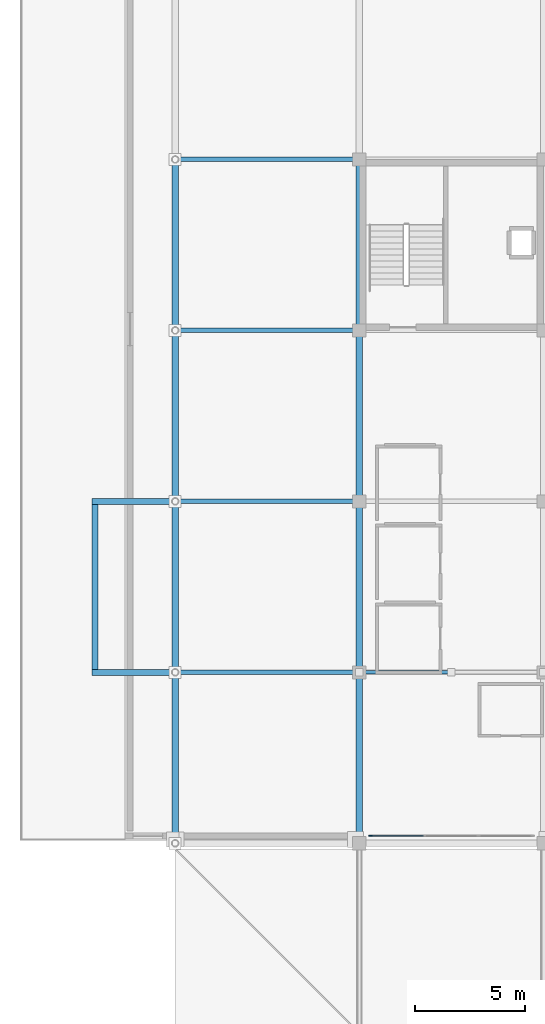
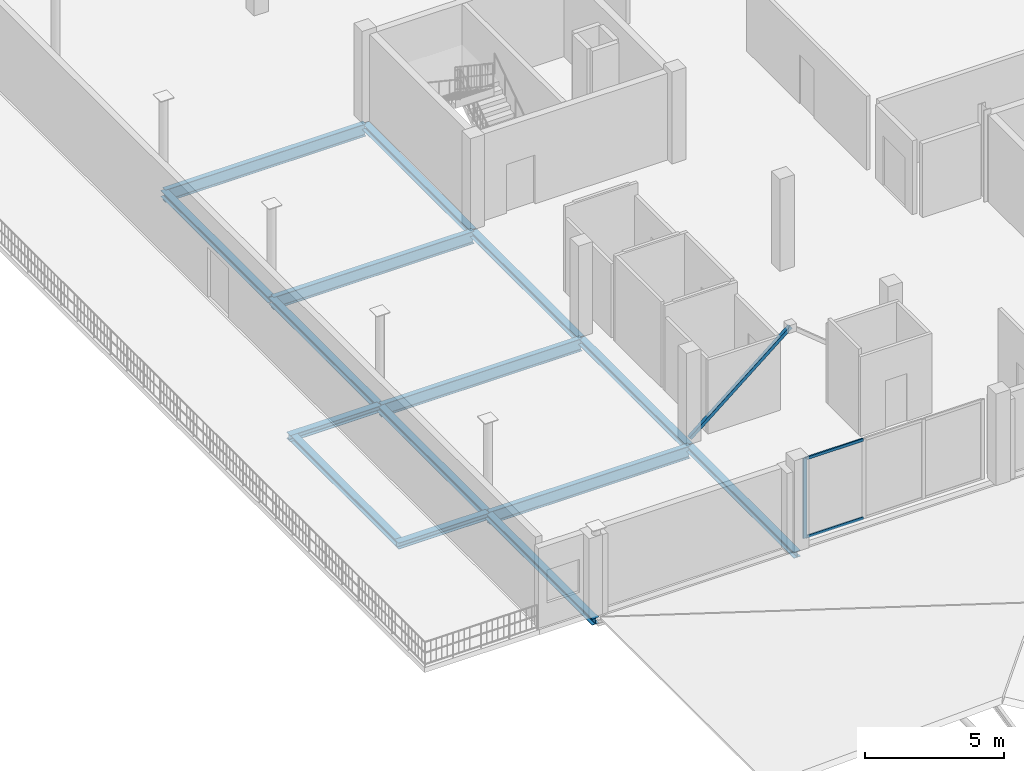
# One storey, part 7 of 25: 15 beams, 4 members, 1 element without a shape of its own.
"""IFC4 building model written with IfcOpenShell, lengths in metres."""

from ifc_helpers import new_model, si_unit, direction, frame, origin, origin_2d, place, context, subcontext, project, spatial, rectangle, hollow_rectangle, i_section, extrude, material, material_profile, profile_set, type_object, element, aggregate, save


model = new_model("IFC4")

# Units and contexts
model_context = context("Model", 3, precision=1e-05, world=origin(), true_north=direction((0.0, 1.0)))
body_context = subcontext(model_context, "Body", "Model", "MODEL_VIEW")
ifc_project = project(units=[si_unit("LENGTHUNIT", "METRE"), si_unit("AREAUNIT", "SQUARE_METRE"), si_unit("VOLUMEUNIT", "CUBIC_METRE"), si_unit("PLANEANGLEUNIT", "RADIAN"), si_unit("MASSUNIT", "GRAM", prefix="KILO")], contexts=[model_context])

# Site, building, storey
site_placement = place(None, origin())
site = spatial("IfcSite", under=ifc_project, at=site_placement, CompositionType="ELEMENT")
building_placement = place(site_placement, origin())
building = spatial("IfcBuilding", under=site, at=building_placement, Name="Nabrawat Pavilion Hospital", CompositionType="ELEMENT")
storey_placement = place(building_placement, frame((0.0, 0.0, 22.949951171875)))
storey = spatial("IfcBuildingStorey", under=building, at=storey_placement, Name="L05", CompositionType="ELEMENT", Elevation=22.949951171875)

# Curtain wall, members
ifc_material_1 = material(Name="Anodised Aluminium", Category="aluminium")
curtain_wall_type = type_object("IfcCurtainWallType", Name="Inpatient Dayroom Bay Curtain Wall", PredefinedType="USERDEFINED", material=ifc_material_1)
curtain_wall_placement = place(storey_placement, origin())
curtain_wall = element("IfcCurtainWall", 1, at=curtain_wall_placement, inside=storey, type_object=curtain_wall_type, Name="L05 Inpatient Dayroom Bay Curtain Wall 151", ObjectType="CURTAIN WALL", PredefinedType="USERDEFINED")
ifc_material_profile_1 = material_profile(ifc_material_1, rectangle(XDim=0.06005859375, YDim=0.159912109375, at=origin_2d()), Name="CWM 60x160")
ifc_profile_set_1 = profile_set([ifc_material_profile_1], Name="Anodised Aluminium")
member_type_1 = type_object("IfcMemberType", Name="Inpatient Dayroom Bay Curtain Wall Mullion CWM 60x160", PredefinedType="MULLION", material=ifc_profile_set_1)
member_1_placement = place(storey_placement, frame((151.699951171875, 39.340087890625, 0.0), z_axis=(0.0, 0.0, 1.0), x_axis=(0.0, 1.0, 0.0)))
member_1 = element("IfcMember", 2, at=member_1_placement, type_object=member_type_1, Name="CW-WRD-01 mullion 1", PredefinedType="MULLION", context=body_context, shape_type="SweptSolid", body=[
    extrude(rectangle(XDim=0.06005859375, YDim=0.159912109375, at=origin_2d()), origin(), (0.0, 0.0, 1.0), 3.510009765625),
])
ifc_material_profile_2 = material_profile(ifc_material_1, rectangle(XDim=0.06005859375, YDim=0.1201171875, at=origin_2d()), Name="CWT 60x120")
ifc_profile_set_2 = profile_set([ifc_material_profile_2], Name="Anodised Aluminium")
member_type_2 = type_object("IfcMemberType", Name="Inpatient Dayroom Bay Curtain Wall Transom CWT 60x120", PredefinedType="USERDEFINED", material=ifc_profile_set_2)
member_2_placement = place(storey_placement, frame((151.72998046875, 39.340087890625, 0.030029296875), z_axis=(1.0, 0.0, 0.0), x_axis=(0.0, 1.0, 0.0)))
member_2 = element("IfcMember", 3, at=member_2_placement, type_object=member_type_2, Name="CW-WRD-01 transom 1.1", ObjectType="TRANSOM", PredefinedType="USERDEFINED", context=body_context, shape_type="SweptSolid", body=[
    extrude(rectangle(XDim=0.06005859375, YDim=0.1201171875, at=origin_2d()), origin(), (0.0, 0.0, 1.0), 2.396728515625),
])
member_3_placement = place(storey_placement, frame((151.72998046875, 39.340087890625, 3.47998046875), z_axis=(1.0, 0.0, 0.0), x_axis=(0.0, 1.0, 0.0)))
member_3 = element("IfcMember", 4, at=member_3_placement, type_object=member_type_2, Name="CW-WRD-01 transom 1.2", ObjectType="TRANSOM", PredefinedType="USERDEFINED", context=body_context, shape_type="SweptSolid", body=[
    extrude(rectangle(XDim=0.06005859375, YDim=0.1201171875, at=origin_2d()), origin(), (0.0, 0.0, 1.0), 2.396728515625),
])
aggregate(curtain_wall, [member_1, member_2, member_3])

# Beams
ifc_material_2 = material(Name="Steel S355", Category="steel")
ifc_material_profile_3 = material_profile(ifc_material_2, i_section(OverallWidth=0.2099609375, OverallDepth=0.550048828125, WebThickness=0.010986328125, FlangeThickness=0.01708984375, FilletRadius=0.02392578125, at=origin_2d()), Name="IPE 550")
ifc_profile_set_3 = profile_set([ifc_material_profile_3], Name="Steel S355")
beam_type_1 = type_object("IfcBeamType", Name="Long-Span Floor Girder IPE 550", PredefinedType="USERDEFINED", material=ifc_profile_set_3)
for number, where, z_axis, x_axis, name in (
    (5, (142.820068359375, 46.800048828125, -0.5048828125), (1.0, 0.0, 0.0), (0.0, 1.0, 0.0), "L05 Primary X Girder 1991"),
    (6, (142.820068359375, 54.60009765625, -0.5048828125), (1.0, 0.0, 0.0), (0.0, 1.0, 0.0), "L05 Primary X Girder 1997"),
    (7, (142.820068359375, 62.39990234375, -0.5048828125), (1.0, 0.0, 0.0), (0.0, 1.0, 0.0), "L05 Primary X Girder 2003"),
    (8, (142.820068359375, 70.199951171875, -0.5048828125), (1.0, 0.0, 0.0), (0.0, 1.0, 0.0), "L05 Primary X Girder 2008"),
):
    element("IfcBeam", number, at=place(storey_placement, frame(where, z_axis=z_axis, x_axis=x_axis)), inside=storey, type_object=beam_type_1, Name=name, ObjectType="GIRDER", PredefinedType="USERDEFINED", context=body_context, shape_type="SweptSolid", body=[
        extrude(i_section(OverallWidth=0.2099609375, OverallDepth=0.550048828125, WebThickness=0.010986328125, FlangeThickness=0.01708984375, FilletRadius=0.02392578125, at=origin_2d()), origin(), (0.0, 0.0, 1.0), 8.35986328125),
    ])

# Member
ifc_material_profile_4 = material_profile(ifc_material_2, hollow_rectangle(XDim=0.14990234375, YDim=0.14990234375, WallThickness=0.010009765625, at=origin_2d()), Name="SHS 150x150x10")
ifc_profile_set_4 = profile_set([ifc_material_profile_4], Name="Steel S355")
member_type_3 = type_object("IfcMemberType", Name="Top Ward Chevron Brace SHS 150x150x10", PredefinedType="BRACE", material=ifc_profile_set_4)
member_4_placement = place(storey_placement, frame((151.199951171875, 46.800048828125, 0.050048828125), z_axis=(0.772727041362, 0.0, 0.63473846547), x_axis=(0.0, 1.0, 0.0)))
element("IfcMember", 9, at=member_4_placement, inside=storey, type_object=member_type_3, Name="L05 Seismic Concentric Chevron Brace 059", PredefinedType="BRACE", context=body_context, shape_type="SweptSolid", body=[
    extrude(hollow_rectangle(XDim=0.14990234375, YDim=0.14990234375, WallThickness=0.010009765625, at=origin_2d()), origin(), (0.0, 0.0, 1.0), 5.435302734375),
])

# Beams
ifc_material_profile_5 = material_profile(ifc_material_2, i_section(OverallWidth=0.280029296875, OverallDepth=0.27001953125, WebThickness=0.008056640625, FlangeThickness=0.012939453125, FilletRadius=0.02392578125, at=origin_2d()), Name="HEA 280")
ifc_profile_set_5 = profile_set([ifc_material_profile_5], Name="Steel S355")
beam_type_2 = type_object("IfcBeamType", Name="Top Ward Floor Beam HEA 280", PredefinedType="BEAM", material=ifc_profile_set_5)
for number, where, z_axis, x_axis, name in (
    (10, (142.800048828125, 39.02001953125, -0.364990234375), (0.0, 1.0, 0.0), (-1.0, 0.0, 0.0), "L05 Primary Y Beam 2050"),
    (11, (142.800048828125, 46.820068359375, -0.364990234375), (0.0, 1.0, 0.0), (-1.0, 0.0, 0.0), "L05 Primary Y Beam 2051"),
):
    element("IfcBeam", number, at=place(storey_placement, frame(where, z_axis=z_axis, x_axis=x_axis)), inside=storey, type_object=beam_type_2, Name=name, PredefinedType="BEAM", context=body_context, shape_type="SweptSolid", body=[
        extrude(i_section(OverallWidth=0.280029296875, OverallDepth=0.27001953125, WebThickness=0.008056640625, FlangeThickness=0.012939453125, FilletRadius=0.02392578125, at=origin_2d()), origin(), (0.0, 0.0, 1.0), 7.760009765625),
    ])
beam_1_placement = place(storey_placement, frame((142.800048828125, 54.6201171875, -0.364990234375), z_axis=(0.0, 1.0, 0.0), x_axis=(-1.0, 0.0, 0.0)))
element("IfcBeam", 12, at=beam_1_placement, inside=storey, type_object=beam_type_2, Name="L05 Primary Y Beam 2052", PredefinedType="BEAM", context=body_context, shape_type="SweptSolid", body=[
    extrude(i_section(OverallWidth=0.280029296875, OverallDepth=0.27001953125, WebThickness=0.008056640625, FlangeThickness=0.012939453125, FilletRadius=0.02392578125, at=origin_2d()), origin(), (0.0, 0.0, 1.0), 7.759765625),
])
for number, where, z_axis, x_axis, name in (
    (13, (142.800048828125, 62.419921875, -0.364990234375), (0.0, 1.0, 0.0), (-1.0, 0.0, 0.0), "L05 Primary Y Beam 2053"),
    (14, (151.199951171875, 39.02001953125, -0.364990234375), (0.0, 1.0, 0.0), (-1.0, 0.0, 0.0), "L05 Primary Y Beam 2061"),
    (15, (151.199951171875, 46.820068359375, -0.364990234375), (0.0, 1.0, 0.0), (-1.0, 0.0, 0.0), "L05 Primary Y Beam 2062"),
):
    element("IfcBeam", number, at=place(storey_placement, frame(where, z_axis=z_axis, x_axis=x_axis)), inside=storey, type_object=beam_type_2, Name=name, PredefinedType="BEAM", context=body_context, shape_type="SweptSolid", body=[
        extrude(i_section(OverallWidth=0.280029296875, OverallDepth=0.27001953125, WebThickness=0.008056640625, FlangeThickness=0.012939453125, FilletRadius=0.02392578125, at=origin_2d()), origin(), (0.0, 0.0, 1.0), 7.760009765625),
    ])
beam_2_placement = place(storey_placement, frame((151.199951171875, 54.6201171875, -0.364990234375), z_axis=(0.0, 1.0, 0.0), x_axis=(-1.0, 0.0, 0.0)))
element("IfcBeam", 16, at=beam_2_placement, inside=storey, type_object=beam_type_2, Name="L05 Primary Y Beam 2063", PredefinedType="BEAM", context=body_context, shape_type="SweptSolid", body=[
    extrude(i_section(OverallWidth=0.280029296875, OverallDepth=0.27001953125, WebThickness=0.008056640625, FlangeThickness=0.012939453125, FilletRadius=0.02392578125, at=origin_2d()), origin(), (0.0, 0.0, 1.0), 7.759765625),
])
beam_3_placement = place(storey_placement, frame((151.199951171875, 62.419921875, -0.364990234375), z_axis=(0.0, 1.0, 0.0), x_axis=(-1.0, 0.0, 0.0)))
element("IfcBeam", 17, at=beam_3_placement, inside=storey, type_object=beam_type_2, Name="L05 Primary Y Beam 2064", PredefinedType="BEAM", context=body_context, shape_type="SweptSolid", body=[
    extrude(i_section(OverallWidth=0.280029296875, OverallDepth=0.27001953125, WebThickness=0.008056640625, FlangeThickness=0.012939453125, FilletRadius=0.02392578125, at=origin_2d()), origin(), (0.0, 0.0, 1.0), 7.760009765625),
])
ifc_material_profile_6 = material_profile(ifc_material_2, i_section(OverallWidth=0.280029296875, OverallDepth=0.280029296875, WebThickness=0.010498046875, FlangeThickness=0.01806640625, FilletRadius=0.02392578125, at=origin_2d()), Name="HEB 280")
ifc_profile_set_6 = profile_set([ifc_material_profile_6], Name="Steel S355")
beam_type_3 = type_object("IfcBeamType", Name="Upper Terrace Edge Spandrel HEB 280", PredefinedType="SPANDREL", material=ifc_profile_set_6)
for number, where, z_axis, x_axis, name in (
    (18, (139.0, 46.800048828125, -0.369873046875), (1.0, 0.0, 0.0), (0.0, 1.0, 0.0), "L05 Clinical Terrace Outrigger Support Beam 01"),
    (19, (139.0, 54.60009765625, -0.369873046875), (1.0, 0.0, 0.0), (0.0, 1.0, 0.0), "L05 Clinical Terrace Outrigger Support Beam 02"),
):
    element("IfcBeam", number, at=place(storey_placement, frame(where, z_axis=z_axis, x_axis=x_axis)), inside=storey, type_object=beam_type_3, Name=name, PredefinedType="SPANDREL", context=body_context, shape_type="SweptSolid", body=[
        extrude(i_section(OverallWidth=0.280029296875, OverallDepth=0.280029296875, WebThickness=0.010498046875, FlangeThickness=0.01806640625, FilletRadius=0.02392578125, at=origin_2d()), origin(), (0.0, 0.0, 1.0), 3.780029296875),
    ])
beam_4_placement = place(storey_placement, frame((139.14990234375, 46.93994140625, -0.369873046875), z_axis=(0.0, 1.0, 0.0), x_axis=(-1.0, 0.0, 0.0)))
element("IfcBeam", 20, at=beam_4_placement, inside=storey, type_object=beam_type_3, Name="L05 Clinical Terrace Outrigger Support Beam 04", PredefinedType="SPANDREL", context=body_context, shape_type="SweptSolid", body=[
    extrude(i_section(OverallWidth=0.280029296875, OverallDepth=0.280029296875, WebThickness=0.010498046875, FlangeThickness=0.01806640625, FilletRadius=0.02392578125, at=origin_2d()), origin(), (0.0, 0.0, 1.0), 7.52001953125),
])

save(model, "model.ifc")
